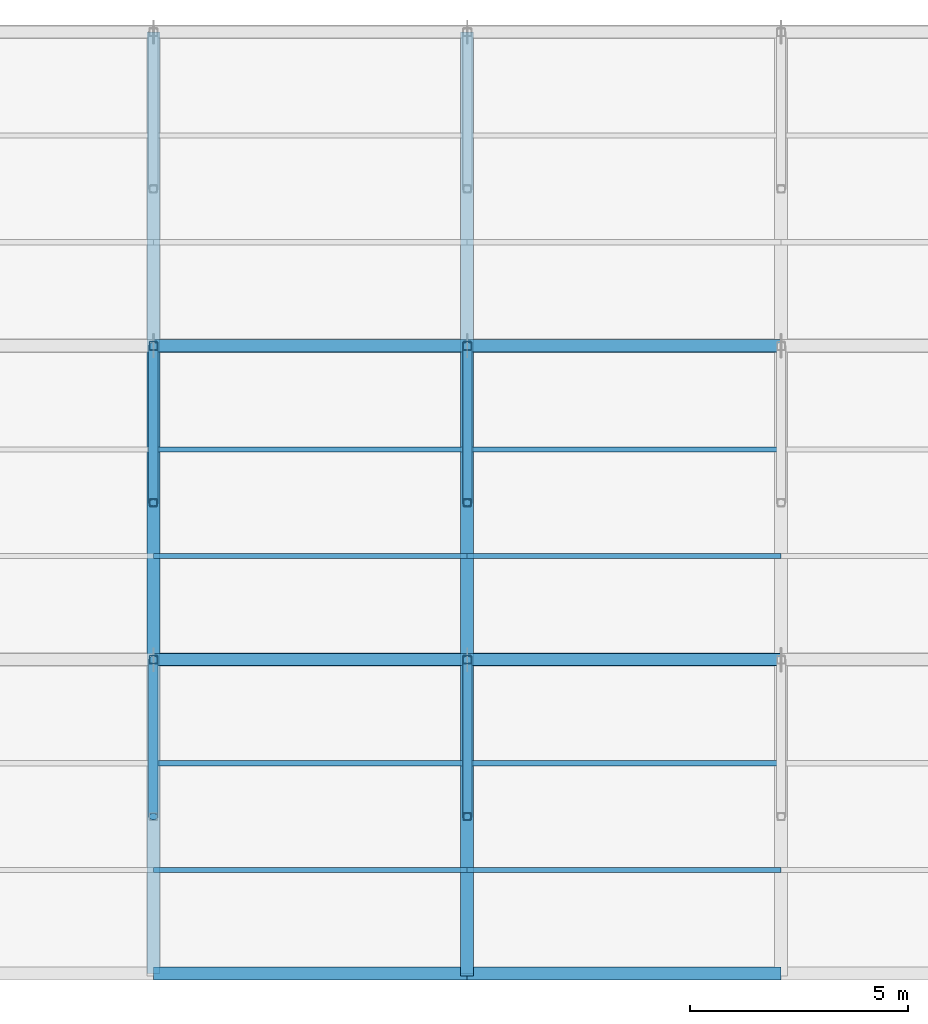
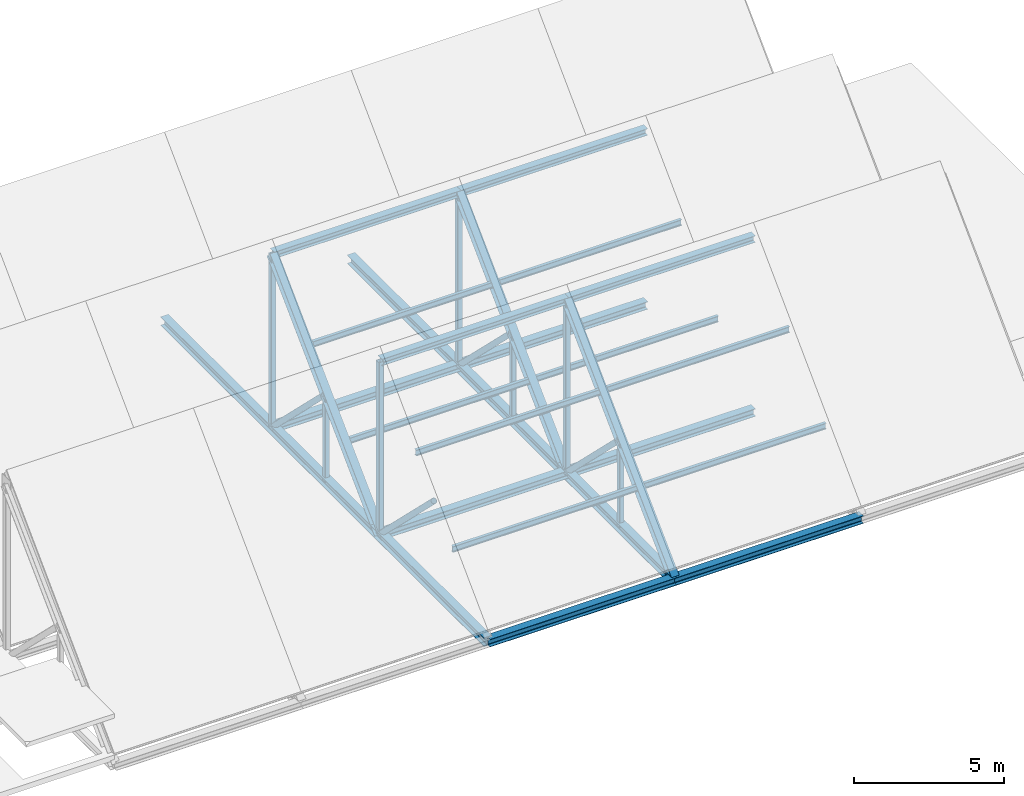
# One storey, part 2 of 7: 18 beams, 16 members.
"""IFC4 building model written with IfcOpenShell, lengths in metres."""

from ifc_helpers import new_model, si_unit, direction, frame, origin, origin_2d, place, context, subcontext, project, spatial, hollow_rectangle, hollow_circle, i_section, extrude, material, material_profile, profile_set, type_object, element, save


model = new_model("IFC4")

# Units and contexts
model_context = context("Model", 3, precision=1e-05, world=origin(), true_north=direction((0.0, 1.0)))
body_context = subcontext(model_context, "Body", "Model", "MODEL_VIEW")
ifc_project = project(units=[si_unit("LENGTHUNIT", "METRE"), si_unit("AREAUNIT", "SQUARE_METRE"), si_unit("VOLUMEUNIT", "CUBIC_METRE"), si_unit("PLANEANGLEUNIT", "RADIAN"), si_unit("MASSUNIT", "GRAM", prefix="KILO")], contexts=[model_context])

# Site, building, storey
site_placement = place(None, origin())
site = spatial("IfcSite", under=ifc_project, at=site_placement, CompositionType="ELEMENT")
building_placement = place(site_placement, origin())
building = spatial("IfcBuilding", under=site, at=building_placement, Name="Zlatovets Crest Museum", CompositionType="ELEMENT")
storey_placement = place(building_placement, frame((0.0, 0.0, 30.60009765625)))
storey = spatial("IfcBuildingStorey", under=building, at=storey_placement, Name="Roof", CompositionType="ELEMENT", Elevation=30.60009765625)

# Beams
ifc_material = material(Name="Structural steel S355J2", Category="steel")
ifc_material_profile_1 = material_profile(ifc_material, i_section(OverallWidth=0.300048828125, OverallDepth=0.31005859375, WebThickness=0.009033203125, FlangeThickness=0.015380859375, FilletRadius=0.027099609375, at=origin_2d()), Name="HEA 320")
ifc_profile_set_1 = profile_set([ifc_material_profile_1], Name="Structural steel S355J2")
beam_type_1 = type_object("IfcBeamType", Name="Beam_B-04", PredefinedType="BEAM", material=ifc_profile_set_1)
for number, where, z_axis, x_axis, name in (
    (1, (79.199951171875, 93.60009765625, -0.400146484375), (1.0, 0.0, 0.0), (0.0, 1.0, 0.0), "V1 Sawtooth South Eave Valley Girder"),
    (2, (79.199951171875, 100.800048828125, -0.400146484375), (1.0, 0.0, 0.0), (0.0, 1.0, 0.0), "V1 Sawtooth Tooth 1 Valley / Clerestory Sill Girder"),
):
    element("IfcBeam", number, at=place(storey_placement, frame(where, z_axis=z_axis, x_axis=x_axis)), inside=storey, type_object=beam_type_1, Name=name, PredefinedType="BEAM", context=body_context, shape_type="SweptSolid", body=[
        extrude(i_section(OverallWidth=0.300048828125, OverallDepth=0.31005859375, WebThickness=0.009033203125, FlangeThickness=0.015380859375, FilletRadius=0.027099609375, at=origin_2d()), origin(), (0.0, 0.0, 1.0), 7.199951171875),
    ])
for number, where, z_axis, x_axis, name in (
    (3, (86.39990234375, 93.60009765625, -0.400146484375), (1.0, 0.0, 0.0), (0.0, 1.0, 0.0), "V1 Sawtooth South Eave Valley Girder"),
    (4, (86.39990234375, 100.800048828125, -0.400146484375), (1.0, 0.0, 0.0), (0.0, 1.0, 0.0), "V1 Sawtooth Tooth 1 Valley / Clerestory Sill Girder"),
):
    element("IfcBeam", number, at=place(storey_placement, frame(where, z_axis=z_axis, x_axis=x_axis)), inside=storey, type_object=beam_type_1, Name=name, PredefinedType="BEAM", context=body_context, shape_type="SweptSolid", body=[
        extrude(i_section(OverallWidth=0.300048828125, OverallDepth=0.31005859375, WebThickness=0.009033203125, FlangeThickness=0.015380859375, FilletRadius=0.027099609375, at=origin_2d()), origin(), (0.0, 0.0, 1.0), 7.2001953125),
    ])
beam_1_placement = place(storey_placement, frame((79.199951171875, 108.0, -0.400146484375), z_axis=(1.0, 0.0, 0.0), x_axis=(0.0, 1.0, 0.0)))
element("IfcBeam", 5, at=beam_1_placement, inside=storey, type_object=beam_type_1, Name="V1 Sawtooth Tooth 2 Valley / Clerestory Sill Girder", PredefinedType="BEAM", context=body_context, shape_type="SweptSolid", body=[
    extrude(i_section(OverallWidth=0.300048828125, OverallDepth=0.31005859375, WebThickness=0.009033203125, FlangeThickness=0.015380859375, FilletRadius=0.027099609375, at=origin_2d()), origin(), (0.0, 0.0, 1.0), 7.199951171875),
])
beam_2_placement = place(storey_placement, frame((86.39990234375, 108.0, -0.400146484375), z_axis=(1.0, 0.0, 0.0), x_axis=(0.0, 1.0, 0.0)))
element("IfcBeam", 6, at=beam_2_placement, inside=storey, type_object=beam_type_1, Name="V1 Sawtooth Tooth 2 Valley / Clerestory Sill Girder", PredefinedType="BEAM", context=body_context, shape_type="SweptSolid", body=[
    extrude(i_section(OverallWidth=0.300048828125, OverallDepth=0.31005859375, WebThickness=0.009033203125, FlangeThickness=0.015380859375, FilletRadius=0.027099609375, at=origin_2d()), origin(), (0.0, 0.0, 1.0), 7.2001953125),
])
ifc_material_profile_2 = material_profile(ifc_material, i_section(OverallWidth=0.280029296875, OverallDepth=0.27001953125, WebThickness=0.008056640625, FlangeThickness=0.012939453125, FilletRadius=0.02392578125, at=origin_2d()), Name="HEA 280")
ifc_profile_set_2 = profile_set([ifc_material_profile_2], Name="Structural steel S355J2")
beam_type_2 = type_object("IfcBeamType", Name="Beam_B-05", PredefinedType="BEAM", material=ifc_profile_set_2)
beam_3_placement = place(storey_placement, frame((79.199951171875, 100.800048828125, 6.668701171875), z_axis=(1.0, 0.0, 0.0), x_axis=(0.0, 1.0, 0.0)))
element("IfcBeam", 7, at=beam_3_placement, inside=storey, type_object=beam_type_2, Name="V1 Sawtooth Tooth 1 Ridge Girder", PredefinedType="BEAM", context=body_context, shape_type="SweptSolid", body=[
    extrude(i_section(OverallWidth=0.280029296875, OverallDepth=0.27001953125, WebThickness=0.008056640625, FlangeThickness=0.012939453125, FilletRadius=0.02392578125, at=origin_2d()), origin(), (0.0, 0.0, 1.0), 7.199951171875),
])
beam_4_placement = place(storey_placement, frame((86.39990234375, 100.800048828125, 6.668701171875), z_axis=(1.0, 0.0, 0.0), x_axis=(0.0, 1.0, 0.0)))
element("IfcBeam", 8, at=beam_4_placement, inside=storey, type_object=beam_type_2, Name="V1 Sawtooth Tooth 1 Ridge Girder", PredefinedType="BEAM", context=body_context, shape_type="SweptSolid", body=[
    extrude(i_section(OverallWidth=0.280029296875, OverallDepth=0.27001953125, WebThickness=0.008056640625, FlangeThickness=0.012939453125, FilletRadius=0.02392578125, at=origin_2d()), origin(), (0.0, 0.0, 1.0), 7.2001953125),
])
beam_5_placement = place(storey_placement, frame((79.199951171875, 108.0, 6.668701171875), z_axis=(1.0, 0.0, 0.0), x_axis=(0.0, 1.0, 0.0)))
element("IfcBeam", 9, at=beam_5_placement, inside=storey, type_object=beam_type_2, Name="V1 Sawtooth Tooth 2 Ridge Girder", PredefinedType="BEAM", context=body_context, shape_type="SweptSolid", body=[
    extrude(i_section(OverallWidth=0.280029296875, OverallDepth=0.27001953125, WebThickness=0.008056640625, FlangeThickness=0.012939453125, FilletRadius=0.02392578125, at=origin_2d()), origin(), (0.0, 0.0, 1.0), 7.199951171875),
])
beam_6_placement = place(storey_placement, frame((86.39990234375, 108.0, 6.668701171875), z_axis=(1.0, 0.0, 0.0), x_axis=(0.0, 1.0, 0.0)))
element("IfcBeam", 10, at=beam_6_placement, inside=storey, type_object=beam_type_2, Name="V1 Sawtooth Tooth 2 Ridge Girder", PredefinedType="BEAM", context=body_context, shape_type="SweptSolid", body=[
    extrude(i_section(OverallWidth=0.280029296875, OverallDepth=0.27001953125, WebThickness=0.008056640625, FlangeThickness=0.012939453125, FilletRadius=0.02392578125, at=origin_2d()), origin(), (0.0, 0.0, 1.0), 7.2001953125),
])
ifc_material_profile_3 = material_profile(ifc_material, i_section(OverallWidth=0.1201171875, OverallDepth=0.239990234375, WebThickness=0.006103515625, FlangeThickness=0.009765625, FilletRadius=0.014892578125, at=origin_2d()), Name="IPE 240")
ifc_profile_set_3 = profile_set([ifc_material_profile_3], Name="Structural steel S355J2")
beam_type_3 = type_object("IfcBeamType", Name="Beam_PR-01", PredefinedType="BEAM", material=ifc_profile_set_3)
for number, where, z_axis, x_axis, name in (
    (11, (79.199951171875, 95.97607421875, 1.919921875), (1.0, 0.0, 0.0), (0.0, 1.0, 0.0), "V1 Sawtooth Tooth 1 Purlin PR-01"),
    (12, (79.199951171875, 98.424072265625, 4.367919921875), (1.0, 0.0, 0.0), (0.0, 1.0, 0.0), "V1 Sawtooth Tooth 1 Purlin PR-01"),
):
    element("IfcBeam", number, at=place(storey_placement, frame(where, z_axis=z_axis, x_axis=x_axis)), inside=storey, type_object=beam_type_3, Name=name, PredefinedType="BEAM", context=body_context, shape_type="SweptSolid", body=[
        extrude(i_section(OverallWidth=0.1201171875, OverallDepth=0.239990234375, WebThickness=0.006103515625, FlangeThickness=0.009765625, FilletRadius=0.014892578125, at=origin_2d()), origin(), (0.0, 0.0, 1.0), 7.199951171875),
    ])
for number, where, z_axis, x_axis, name in (
    (13, (86.39990234375, 95.97607421875, 1.919921875), (1.0, 0.0, 0.0), (0.0, 1.0, 0.0), "V1 Sawtooth Tooth 1 Purlin PR-01"),
    (14, (86.39990234375, 98.424072265625, 4.367919921875), (1.0, 0.0, 0.0), (0.0, 1.0, 0.0), "V1 Sawtooth Tooth 1 Purlin PR-01"),
):
    element("IfcBeam", number, at=place(storey_placement, frame(where, z_axis=z_axis, x_axis=x_axis)), inside=storey, type_object=beam_type_3, Name=name, PredefinedType="BEAM", context=body_context, shape_type="SweptSolid", body=[
        extrude(i_section(OverallWidth=0.1201171875, OverallDepth=0.239990234375, WebThickness=0.006103515625, FlangeThickness=0.009765625, FilletRadius=0.014892578125, at=origin_2d()), origin(), (0.0, 0.0, 1.0), 7.2001953125),
    ])
for number, where, z_axis, x_axis, name in (
    (15, (79.199951171875, 103.176025390625, 1.919921875), (1.0, 0.0, 0.0), (0.0, 1.0, 0.0), "V1 Sawtooth Tooth 2 Purlin PR-01"),
    (16, (79.199951171875, 105.6240234375, 4.367919921875), (1.0, 0.0, 0.0), (0.0, 1.0, 0.0), "V1 Sawtooth Tooth 2 Purlin PR-01"),
):
    element("IfcBeam", number, at=place(storey_placement, frame(where, z_axis=z_axis, x_axis=x_axis)), inside=storey, type_object=beam_type_3, Name=name, PredefinedType="BEAM", context=body_context, shape_type="SweptSolid", body=[
        extrude(i_section(OverallWidth=0.1201171875, OverallDepth=0.239990234375, WebThickness=0.006103515625, FlangeThickness=0.009765625, FilletRadius=0.014892578125, at=origin_2d()), origin(), (0.0, 0.0, 1.0), 7.199951171875),
    ])
for number, where, z_axis, x_axis, name in (
    (17, (86.39990234375, 103.176025390625, 1.919921875), (1.0, 0.0, 0.0), (0.0, 1.0, 0.0), "V1 Sawtooth Tooth 2 Purlin PR-01"),
    (18, (86.39990234375, 105.6240234375, 4.367919921875), (1.0, 0.0, 0.0), (0.0, 1.0, 0.0), "V1 Sawtooth Tooth 2 Purlin PR-01"),
):
    element("IfcBeam", number, at=place(storey_placement, frame(where, z_axis=z_axis, x_axis=x_axis)), inside=storey, type_object=beam_type_3, Name=name, PredefinedType="BEAM", context=body_context, shape_type="SweptSolid", body=[
        extrude(i_section(OverallWidth=0.1201171875, OverallDepth=0.239990234375, WebThickness=0.006103515625, FlangeThickness=0.009765625, FilletRadius=0.014892578125, at=origin_2d()), origin(), (0.0, 0.0, 1.0), 7.2001953125),
    ])

# Members
ifc_material_profile_4 = material_profile(ifc_material, i_section(OverallWidth=0.300048828125, OverallDepth=0.360107421875, WebThickness=0.012451171875, FlangeThickness=0.0224609375, FilletRadius=0.027099609375, at=origin_2d()), Name="HEB 360")
ifc_profile_set_4 = profile_set([ifc_material_profile_4], Name="Structural steel S355J2")
member_type_1 = type_object("IfcMemberType", Name="Member_TM-01", PredefinedType="CHORD", material=ifc_profile_set_4)
for number, where, z_axis, x_axis, name in (
    (19, (79.199951171875, 93.60009765625, -0.400146484375), (0.0, 1.0, 0.0), (-1.0, 0.0, 0.0), "V1 Multi-Tooth Sawtooth Truss Bottom Tie Chord"),
    (20, (86.39990234375, 93.60009765625, -0.400146484375), (0.0, 1.0, 0.0), (-1.0, 0.0, 0.0), "V1 Multi-Tooth Sawtooth Truss Bottom Tie Chord"),
):
    element("IfcMember", number, at=place(storey_placement, frame(where, z_axis=z_axis, x_axis=x_axis)), inside=storey, type_object=member_type_1, Name=name, PredefinedType="CHORD", context=body_context, shape_type="SweptSolid", body=[
        extrude(i_section(OverallWidth=0.300048828125, OverallDepth=0.360107421875, WebThickness=0.012451171875, FlangeThickness=0.0224609375, FilletRadius=0.027099609375, at=origin_2d()), origin(), (0.0, 0.0, 1.0), 21.599853515625),
    ])
ifc_material_profile_5 = material_profile(ifc_material, i_section(OverallWidth=0.300048828125, OverallDepth=0.31005859375, WebThickness=0.009033203125, FlangeThickness=0.015380859375, FilletRadius=0.027099609375, at=origin_2d()), Name="HEA 320")
ifc_profile_set_5 = profile_set([ifc_material_profile_5], Name="Structural steel S355J2")
member_type_2 = type_object("IfcMemberType", Name="Member_TM-02", PredefinedType="RAFTER", material=ifc_profile_set_5)
for number, where, z_axis, x_axis, name in (
    (21, (79.199951171875, 100.800048828125, -0.400146484375), (0.0, 0.713573647199, 0.700580223831), (-1.0, 0.0, 0.0), "V1 Sawtooth Tooth 2 Rafter Chord"),
    (22, (86.39990234375, 93.60009765625, -0.400146484375), (0.0, 0.713573647199, 0.700580223831), (-1.0, 0.0, 0.0), "V1 Sawtooth Tooth 1 Rafter Chord"),
    (23, (86.39990234375, 100.800048828125, -0.400146484375), (0.0, 0.713573647199, 0.700580223831), (-1.0, 0.0, 0.0), "V1 Sawtooth Tooth 2 Rafter Chord"),
):
    element("IfcMember", number, at=place(storey_placement, frame(where, z_axis=z_axis, x_axis=x_axis)), inside=storey, type_object=member_type_2, Name=name, PredefinedType="RAFTER", context=body_context, shape_type="SweptSolid", body=[
        extrude(i_section(OverallWidth=0.300048828125, OverallDepth=0.31005859375, WebThickness=0.009033203125, FlangeThickness=0.015380859375, FilletRadius=0.027099609375, at=origin_2d()), origin(), (0.0, 0.0, 1.0), 10.090087890625),
    ])
ifc_material_profile_6 = material_profile(ifc_material, hollow_rectangle(XDim=0.199951171875, YDim=0.199951171875, WallThickness=0.012451171875, InnerFilletRadius=0.012451171875, OuterFilletRadius=0.02490234375, at=origin_2d()), Name="SHS 200x200x12.5")
ifc_profile_set_6 = profile_set([ifc_material_profile_6], Name="Structural steel S355J2")
member_type_3 = type_object("IfcMemberType", Name="Member_TM-03", PredefinedType="BRACE", material=ifc_profile_set_6)
for number, where, z_axis, x_axis, name in (
    (24, (79.199951171875, 100.800048828125, -0.400146484375), (0.0, 0.0, 1.0), (1.0, 0.0, 0.0), "V1 Sawtooth Tooth 1 North-Light Post"),
    (25, (79.199951171875, 108.0, -0.400146484375), (0.0, 0.0, 1.0), (1.0, 0.0, 0.0), "V1 Sawtooth Tooth 2 North-Light Post"),
    (26, (86.39990234375, 100.800048828125, -0.400146484375), (0.0, 0.0, 1.0), (1.0, 0.0, 0.0), "V1 Sawtooth Tooth 1 North-Light Post"),
    (27, (86.39990234375, 108.0, -0.400146484375), (0.0, 0.0, 1.0), (1.0, 0.0, 0.0), "V1 Sawtooth Tooth 2 North-Light Post"),
):
    element("IfcMember", number, at=place(storey_placement, frame(where, z_axis=z_axis, x_axis=x_axis)), inside=storey, type_object=member_type_3, Name=name, PredefinedType="BRACE", context=body_context, shape_type="SweptSolid", body=[
        extrude(hollow_rectangle(XDim=0.199951171875, YDim=0.199951171875, WallThickness=0.012451171875, InnerFilletRadius=0.012451171875, OuterFilletRadius=0.02490234375, at=origin_2d()), origin(), (0.0, 0.0, 1.0), 7.06884765625),
    ])
ifc_material_profile_7 = material_profile(ifc_material, hollow_rectangle(XDim=0.179931640625, YDim=0.179931640625, WallThickness=0.010009765625, InnerFilletRadius=0.010009765625, OuterFilletRadius=0.02001953125, at=origin_2d()), Name="SHS 180x180x10.0")
ifc_profile_set_7 = profile_set([ifc_material_profile_7], Name="Structural steel S355J2")
member_type_4 = type_object("IfcMemberType", Name="Member_TM-04", PredefinedType="STRUT", material=ifc_profile_set_7)
for number, where, z_axis, x_axis, name in (
    (28, (79.199951171875, 104.39990234375, -0.400146484375), (0.0, 0.0, 1.0), (1.0, 0.0, 0.0), "V1 Sawtooth Tooth 2 Web Post"),
    (29, (86.39990234375, 97.199951171875, -0.400146484375), (0.0, 0.0, 1.0), (1.0, 0.0, 0.0), "V1 Sawtooth Tooth 1 Web Post"),
    (30, (86.39990234375, 104.39990234375, -0.400146484375), (0.0, 0.0, 1.0), (1.0, 0.0, 0.0), "V1 Sawtooth Tooth 2 Web Post"),
):
    element("IfcMember", number, at=place(storey_placement, frame(where, z_axis=z_axis, x_axis=x_axis)), inside=storey, type_object=member_type_4, Name=name, PredefinedType="STRUT", context=body_context, shape_type="SweptSolid", body=[
        extrude(hollow_rectangle(XDim=0.179931640625, YDim=0.179931640625, WallThickness=0.010009765625, InnerFilletRadius=0.010009765625, OuterFilletRadius=0.02001953125, at=origin_2d()), origin(), (0.0, 0.0, 1.0), 3.53466796875),
    ])
ifc_material_profile_8 = material_profile(ifc_material, hollow_circle(Radius=0.109619140625, WallThickness=0.010009765625, at=origin_2d()), Name="CHS 219.1x10.0")
ifc_profile_set_8 = profile_set([ifc_material_profile_8], Name="Structural steel S355J2")
member_type_5 = type_object("IfcMemberType", Name="Member_TM-05", PredefinedType="BRACE", material=ifc_profile_set_8)
for number, where, z_axis, x_axis, name in (
    (31, (79.199951171875, 97.199951171875, 3.134521484375), (0.0, 0.713561331344, -0.700592767883), (-1.0, 0.0, 0.0), "V1 Sawtooth Tooth 1 Web Diagonal"),
    (32, (79.199951171875, 104.39990234375, 3.134521484375), (0.0, 0.713561331344, -0.700592767883), (-1.0, 0.0, 0.0), "V1 Sawtooth Tooth 2 Web Diagonal"),
    (33, (86.39990234375, 97.199951171875, 3.134521484375), (0.0, 0.713561331344, -0.700592767883), (-1.0, 0.0, 0.0), "V1 Sawtooth Tooth 1 Web Diagonal"),
    (34, (86.39990234375, 104.39990234375, 3.134521484375), (0.0, 0.713561331344, -0.700592767883), (-1.0, 0.0, 0.0), "V1 Sawtooth Tooth 2 Web Diagonal"),
):
    element("IfcMember", number, at=place(storey_placement, frame(where, z_axis=z_axis, x_axis=x_axis)), inside=storey, type_object=member_type_5, Name=name, PredefinedType="BRACE", context=body_context, shape_type="SweptSolid", body=[
        extrude(hollow_circle(Radius=0.109619140625, WallThickness=0.010009765625, at=origin_2d()), origin(), (0.0, 0.0, 1.0), 5.045166015625),
    ])

save(model, "model.ifc")
